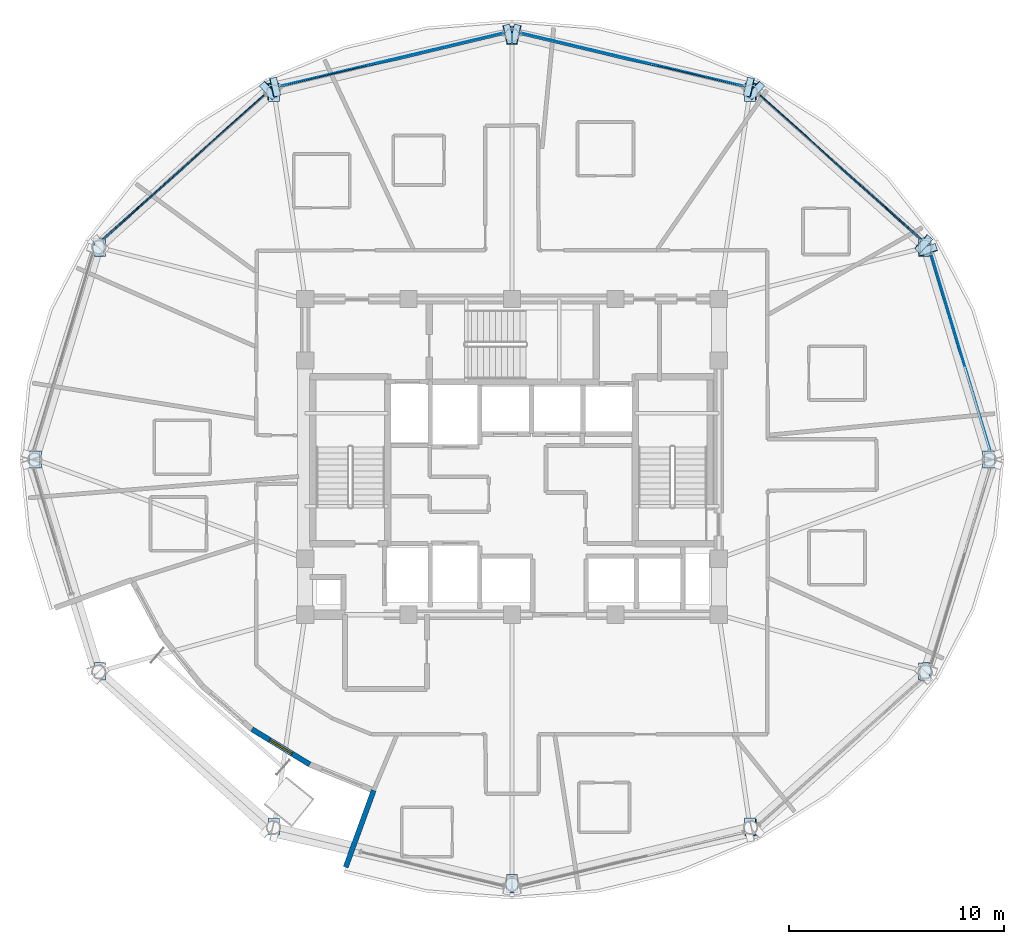
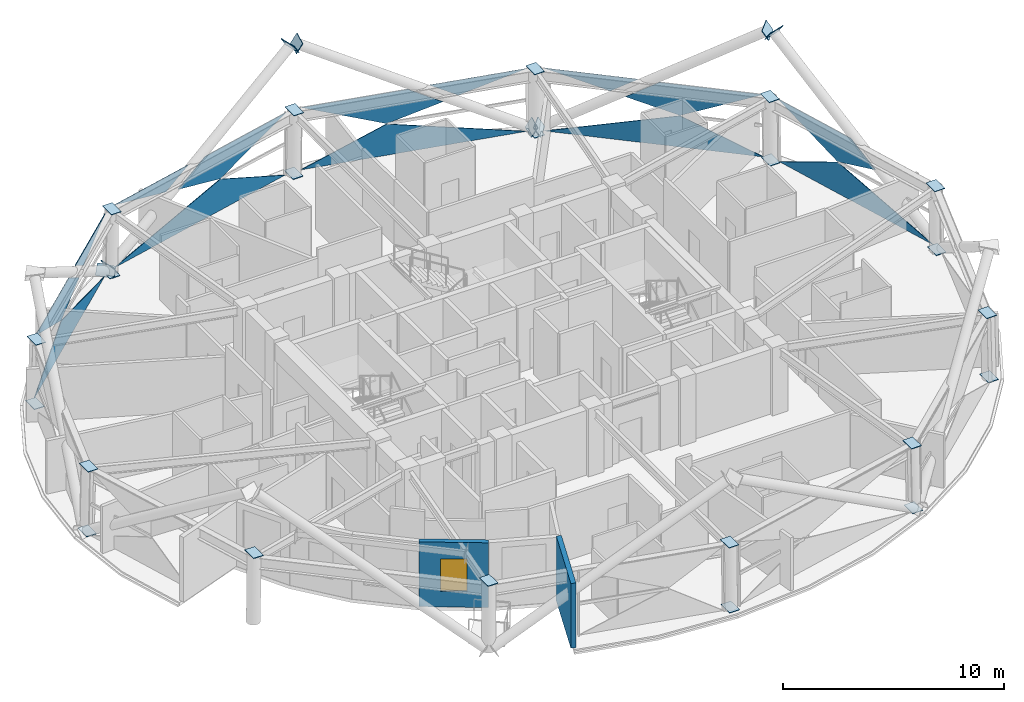
# One storey, part 9 of 18: 44 plates, 2 walls, 1 window, 1 opening, 5 elements without a shape of their own.
"""IFC4 building model written with IfcOpenShell, lengths in metres."""

from ifc_helpers import new_model, si_unit, direction, frame, frame_2d, origin, place, context, subcontext, project, spatial, polyline, rectangle, outline, extrude, material, layer, layer_set, type_object, element, fill, aggregate, save


model = new_model("IFC4")

# Units and contexts
model_context = context("Model", 3, precision=1e-05, world=origin(), true_north=direction((0.0, 1.0)))
body_context = subcontext(model_context, "Body", "Model", "MODEL_VIEW")
ifc_project = project(units=[si_unit("LENGTHUNIT", "METRE"), si_unit("AREAUNIT", "SQUARE_METRE"), si_unit("VOLUMEUNIT", "CUBIC_METRE"), si_unit("PLANEANGLEUNIT", "RADIAN"), si_unit("MASSUNIT", "GRAM", prefix="KILO")], contexts=[model_context])

# Site, building, storey
site_placement = place(None, origin())
site = spatial("IfcSite", under=ifc_project, at=site_placement, CompositionType="ELEMENT")
building_placement = place(site_placement, origin())
building = spatial("IfcBuilding", under=site, at=building_placement, Name="Vantalir Tower", CompositionType="ELEMENT")
storey_placement = place(building_placement, frame((0.0, 0.0, 212.39990234375)))
storey = spatial("IfcBuildingStorey", under=building, at=storey_placement, Name="L53", CompositionType="ELEMENT", Elevation=212.39990234375)

# Curtain wall, plates
ifc_material_1 = material(Name="Champagne-silver PVDF aluminium and double-silver Low-E glass", Category="aluminium")
ifc_layer_1 = layer(ifc_material_1, 0.2099609375)
ifc_layer_set_1 = layer_set([ifc_layer_1], Name="Champagne-silver PVDF aluminium and double-silver Low-E glass")
curtain_wall_type = type_object("IfcCurtainWallType", Name="CW-DIAMOND-Z3", PredefinedType="USERDEFINED", material=ifc_layer_set_1)
curtain_wall_1_placement = place(storey_placement, origin())
curtain_wall_1 = element("IfcCurtainWall", 1, at=curtain_wall_1_placement, inside=storey, type_object=curtain_wall_type, Name="L53 Quilted Pyramid-Diamond Curtain Wall S01", ObjectType="UNITISED CURTAIN WALL", PredefinedType="USERDEFINED")
ifc_material_2 = material(Name="Double-silver Low-E acoustic glass IGU", Category="glass")
ifc_layer_2 = layer(ifc_material_2, 0.031982421875)
ifc_layer_set_2 = layer_set([ifc_layer_2], Name="Double-silver Low-E acoustic glass IGU")
plate_type_1 = type_object("IfcPlateType", Name="CWP-IGU-32", PredefinedType="CURTAIN_PANEL", material=ifc_layer_set_2)
plate_1_placement = place(storey_placement, frame((53.728759765625, 25.406982421875, 0.046875), z_axis=(0.957623193103, 0.287946433413, 0.006683675376), x_axis=(-0.287953028694, 0.957644533537, 2.5568552e-05)))
plate_1 = element("IfcPlate", 2, at=plate_1_placement, type_object=plate_type_1, Name="CW-L53-S01 Pyramid Diamond Facet 1L", PredefinedType="CURTAIN_PANEL", context=body_context, shape_type="SweptSolid", body=[
    extrude(outline(polyline([(0.0, 0.0), (9.548472996531673, -3.3610267347050637e-18), (5.915284661667122, 1.7254732329860645), (0.0, 0.0)])), origin(), (0.0, 0.0, -1.0), 0.031982421875),
])
plate_2_placement = place(storey_placement, frame((52.20703125, 30.22021484375, 3.523193359375), z_axis=(0.957062768049, 0.287836340879, 0.034367119226), x_axis=(-0.288006449757, 0.957628469135, -7.11637e-07)))
plate_2 = element("IfcPlate", 3, at=plate_2_placement, type_object=plate_type_1, Name="CW-L53-S01 Pyramid Diamond Facet 2U", PredefinedType="CURTAIN_PANEL", context=body_context, shape_type="SweptSolid", body=[
    extrude(outline(polyline([(0.0, 0.0), (4.487987723551335, -6.938893903907228e-18), (0.8678270101025286, -1.7266052669534093), (-1.4972824428293054, -1.0335738004786958), (0.0, 0.0)])), origin(), (0.0, 0.0, -1.0), 0.031982421875),
])
aggregate(curtain_wall_1, [plate_1, plate_2])

curtain_wall_2_placement = place(storey_placement, origin())
curtain_wall_2 = element("IfcCurtainWall", 4, at=curtain_wall_2_placement, inside=storey, type_object=curtain_wall_type, Name="L53 Quilted Pyramid-Diamond Curtain Wall S02", ObjectType="UNITISED CURTAIN WALL", PredefinedType="USERDEFINED")
plate_3_placement = place(storey_placement, frame((50.539794921875, 35.24072265625, 0.046875), z_axis=(0.665317047111, 0.746537720719, 0.00588713578), x_axis=(-0.746550563126, 0.665328682767, -2.4151615e-05)))
plate_3 = element("IfcPlate", 5, at=plate_3_placement, type_object=plate_type_1, Name="CW-L53-S02 Pyramid Diamond Facet 1L", PredefinedType="CURTAIN_PANEL", context=body_context, shape_type="SweptSolid", body=[
    extrude(outline(polyline([(0.0, 0.0), (10.108666756302409, 1.463672932855431e-18), (3.8481615896782593, 1.7259529275592917), (0.0, 0.0)])), origin(), (0.0, 0.0, -1.0), 0.031982421875),
])
plate_4_placement = place(storey_placement, frame((50.474853515625, 35.207763671875, 3.523193359375), z_axis=(0.664964112254, 0.746142859432, 0.033069060066), x_axis=(-0.746552292083, 0.665326741226, 5.0954005e-05)))
plate_4 = element("IfcPlate", 6, at=plate_4_placement, type_object=plate_type_1, Name="CW-L53-S02 Pyramid Diamond Facet 2U", PredefinedType="CURTAIN_PANEL", context=body_context, shape_type="SweptSolid", body=[
    extrude(outline(polyline([(0.0, 0.0), (4.761839134974033, -2.1955093992831465e-18), (6.334424491629657, -1.0326258218954207), (3.821763788017583, -1.7269708541703155), (0.0, 0.0)])), origin(), (0.0, 0.0, -1.0), 0.031982421875),
])
plate_5_placement = place(storey_placement, frame((46.196533203125, 39.06884765625, 3.524658203125), z_axis=(0.664977199026, 0.746138286345, 0.032908698334), x_axis=(-0.746542642133, 0.66533757107, 0.0)))
plate_5 = element("IfcPlate", 7, at=plate_5_placement, type_object=plate_type_1, Name="CW-L53-S02 Pyramid Diamond Facet 2U Infill Light", PredefinedType="CURTAIN_PANEL", context=body_context, shape_type="SweptSolid", body=[
    extrude(outline(polyline([(0.0, 0.0), (4.308271774753619, 0.0), (1.276111113182063, -0.8378561583991564), (0.0, 0.0)])), origin(), (0.0, 0.0, -1.0), 0.031982421875),
])
aggregate(curtain_wall_2, [plate_3, plate_4, plate_5])

curtain_wall_3_placement = place(storey_placement, origin())
curtain_wall_3 = element("IfcCurtainWall", 8, at=curtain_wall_3_placement, inside=storey, type_object=curtain_wall_type, Name="L53 Quilted Pyramid-Diamond Curtain Wall S03", ObjectType="UNITISED CURTAIN WALL", PredefinedType="USERDEFINED")
plate_6_placement = place(storey_placement, frame((42.2626953125, 42.34765625, 0.046630859375), z_axis=(0.232202122269, 0.972655667596, 0.004809023423), x_axis=(-0.972666940319, 0.232204699961, 2.2945128e-05)))
plate_6 = element("IfcPlate", 9, at=plate_6_placement, type_object=plate_type_1, Name="CW-L53-S03 Pyramid Diamond Facet 1L", PredefinedType="CURTAIN_PANEL", context=body_context, shape_type="SweptSolid", body=[
    extrude(outline(polyline([(0.0, 0.0), (10.640194300198624, 2.2768245622195593e-18), (6.591358872622033, 1.7261870808795974), (0.0, 0.0)])), origin(), (0.0, 0.0, -1.0), 0.031982421875),
])
plate_7_placement = place(storey_placement, frame((36.796142578125, 43.58642578125, 3.5234375), z_axis=(0.232144522818, 0.972144812159, 0.03230146619), x_axis=(-0.972652369035, 0.232265729309, -1.14938e-07)))
plate_7 = element("IfcPlate", 10, at=plate_7_placement, type_object=plate_type_1, Name="CW-L53-S03 Pyramid Diamond Facet 2U", PredefinedType="CURTAIN_PANEL", context=body_context, shape_type="SweptSolid", body=[
    extrude(outline(polyline([(0.0, 0.0), (5.020104615202886, 0.0), (0.9867205106364865, -1.7272195583749794), (-1.6534297350522251, -1.0330105245089112), (0.0, 0.0)])), origin(), (0.0, 0.0, -1.0), 0.031982421875),
])
plate_8_placement = place(storey_placement, frame((42.234130859375, 42.32470703125, 3.524658203125), z_axis=(0.232124903465, 0.972143819807, 0.032471877102), x_axis=(-0.972656750783, 0.232247379225, 0.0)))
plate_8 = element("IfcPlate", 11, at=plate_8_placement, type_object=plate_type_1, Name="CW-L53-S03 Pyramid Diamond Facet 2U Infill Light", PredefinedType="CURTAIN_PANEL", context=body_context, shape_type="SweptSolid", body=[
    extrude(outline(polyline([(0.0, 0.0), (4.545429386643662, 6.938893903907228e-18), (3.1990392950493387, -0.8410196839842365), (0.0, 0.0)])), origin(), (0.0, 0.0, -1.0), 0.031982421875),
])
aggregate(curtain_wall_3, [plate_6, plate_7, plate_8])

curtain_wall_4_placement = place(storey_placement, origin())
curtain_wall_4 = element("IfcCurtainWall", 12, at=curtain_wall_4_placement, inside=storey, type_object=curtain_wall_type, Name="L53 Quilted Pyramid-Diamond Curtain Wall S04", ObjectType="UNITISED CURTAIN WALL", PredefinedType="USERDEFINED")
plate_9_placement = place(storey_placement, frame((31.086669921875, 44.818359375, 0.046875), z_axis=(-0.232222835977, 0.972650644648, 0.00482471924), x_axis=(-0.972661990941, -0.232225431107, -2.2947177e-05)))
plate_9 = element("IfcPlate", 13, at=plate_9_placement, type_object=plate_type_1, Name="CW-L53-S04 Pyramid Diamond Facet 1L", PredefinedType="CURTAIN_PANEL", context=body_context, shape_type="SweptSolid", body=[
    extrude(outline(polyline([(0.0, 0.0), (10.639244432556302, -2.6291902682773483e-18), (4.048360667439506, 1.7261872087903536), (0.0, 0.0)])), origin(), (0.0, 0.0, -1.0), 0.031982421875),
])
plate_10_placement = place(storey_placement, frame((31.086669921875, 44.75244140625, 3.5234375), z_axis=(-0.232171706803, 0.972137763017, 0.03231823442), x_axis=(-0.972645845055, -0.232293047888, -6.2618e-08)))
plate_10 = element("IfcPlate", 14, at=plate_10_placement, type_object=plate_type_1, Name="CW-L53-S04 Pyramid Diamond Facet 2U", PredefinedType="CURTAIN_PANEL", context=body_context, shape_type="SweptSolid", body=[
    extrude(outline(polyline([(0.0, 0.0), (5.019629688995231, 0.0), (6.6728212066572015, -1.0330098992619385), (4.033145380619553, -1.7272206703985786), (0.0, 0.0)])), origin(), (0.0, 0.0, -1.0), 0.031982421875),
])
plate_11_placement = place(storey_placement, frame((25.1875, 43.38037109375, 3.524658203125), z_axis=(-0.232149366622, 0.972138894874, 0.03244442403), x_axis=(-0.97265095563, -0.2322716481, 0.0)))
plate_11 = element("IfcPlate", 15, at=plate_11_placement, type_object=plate_type_1, Name="CW-L53-S04 Pyramid Diamond Facet 2U Infill Light", PredefinedType="CURTAIN_PANEL", context=body_context, shape_type="SweptSolid", body=[
    extrude(outline(polyline([(0.0, 0.0), (4.5449544580043275, 0.0), (1.3461519461586733, -0.8410189337818136), (0.0, 0.0)])), origin(), (0.0, 0.0, -1.0), 0.031982421875),
])
aggregate(curtain_wall_4, [plate_9, plate_10, plate_11])

curtain_wall_5_placement = place(storey_placement, origin())
curtain_wall_5 = element("IfcCurtainWall", 16, at=curtain_wall_5_placement, inside=storey, type_object=curtain_wall_type, Name="L53 Quilted Pyramid-Diamond Curtain Wall S05", ObjectType="UNITISED CURTAIN WALL", PredefinedType="USERDEFINED")
plate_12_placement = place(storey_placement, frame((20.0078125, 41.96630859375, 0.046630859375), z_axis=(-0.665268888071, 0.746580281936, 0.005932047624), x_axis=(-0.746593322534, -0.66528070028, 2.4149873e-05)))
plate_12 = element("IfcPlate", 17, at=plate_12_placement, type_object=plate_type_1, Name="CW-L53-S05 Pyramid Diamond Facet 1L", PredefinedType="CURTAIN_PANEL", context=body_context, shape_type="SweptSolid", body=[
    extrude(outline(polyline([(0.0, 0.0), (10.10939583046608, 1.577514160966409e-17), (6.260869045162266, 1.725953387778409), (0.0, 0.0)])), origin(), (0.0, 0.0, -1.0), 0.031982421875),
])
plate_13_placement = place(storey_placement, frame((16.08056640625, 38.3759765625, 3.5234375), z_axis=(-0.664899833455, 0.74619801668, 0.03311693485), x_axis=(-0.746608653069, -0.66526349413, -5.0402982e-05)))
plate_13 = element("IfcPlate", 18, at=plate_13_placement, type_object=plate_type_1, Name="CW-L53-S05 Pyramid Diamond Facet 2U", PredefinedType="CURTAIN_PANEL", context=body_context, shape_type="SweptSolid", body=[
    extrude(outline(polyline([(0.0, 0.0), (4.762203669036037, 1.2603850255143989e-17), (0.9402615080629463, -1.7269741020977174), (-1.572765308191059, -1.032623994801064), (0.0, 0.0)])), origin(), (0.0, 0.0, -1.0), 0.031982421875),
])
plate_14_placement = place(storey_placement, frame((20.020751953125, 41.935302734375, 3.524658203125), z_axis=(-0.664918420941, 0.746185598699, 0.033023412718), x_axis=(-0.746592806569, -0.665281279745, 0.0)))
plate_14 = element("IfcPlate", 19, at=plate_14_placement, type_object=plate_type_1, Name="CW-L53-S05 Pyramid Diamond Facet 2U Infill Light", PredefinedType="CURTAIN_PANEL", context=body_context, shape_type="SweptSolid", body=[
    extrude(outline(polyline([(0.0, 0.0), (4.308636309775793, 0.0), (3.032527279211335, -0.8378593303568288), (0.0, 0.0)])), origin(), (0.0, 0.0, -1.0), 0.031982421875),
])
aggregate(curtain_wall_5, [plate_12, plate_13, plate_14])

# Plates
ifc_material_3 = material(Name="Steel S460", Category="steel")
ifc_layer_3 = layer(ifc_material_3, 0.035888671875)
ifc_layer_set_3 = layer_set([ifc_layer_3], Name="Steel S460")
plate_type_2 = type_object("IfcPlateType", Name="PLT-KN-Z2", PredefinedType="USERDEFINED", material=ifc_layer_set_3)
plate_15_placement = place(storey_placement, frame((51.1455078125, 35.03173828125, 6.892333984375), z_axis=(-0.247801445593, 0.784971030878, 0.567815924614), x_axis=(-0.953612013501, -0.301038415667, 0.0)))
element("IfcPlate", 20, at=plate_15_placement, inside=storey, type_object=plate_type_2, Name="Node Cap Plate MEM-DG-L53-R01L End", ObjectType="FLANGE_PLATE", PredefinedType="USERDEFINED", context=body_context, shape_type="SweptSolid", body=[
    extrude(outline(polyline([(0.0, 0.0), (0.8799294852051559, -2.7755575615628914e-17), (0.8799218985515354, 0.579835629059877), (-7.586653620619832e-06, 0.5798356290598771), (0.0, 0.0)])), origin(), (0.0, 0.0, -1.0), 0.035888671875),
])
plate_16_placement = place(storey_placement, frame((42.43505859375, 42.7548828125, -0.044921875), z_axis=(-0.827034201957, 0.18775911612, 0.529868798013), x_axis=(-0.221393262767, -0.975184609806, 0.0)))
element("IfcPlate", 21, at=plate_16_placement, inside=storey, type_object=plate_type_2, Name="Node Cap Plate MEM-DG-L53-R07L Start", ObjectType="FLANGE_PLATE", PredefinedType="USERDEFINED", context=body_context, shape_type="SweptSolid", body=[
    extrude(outline(polyline([(0.0, 0.0), (0.8799916326060001, 0.0), (0.8800958739929752, 0.5797795419390925), (0.00010424138697508854, 0.5797795419390925), (0.0, 0.0)])), origin(), (0.0, 0.0, -1.0), 0.035888671875),
])
plate_17_placement = place(storey_placement, frame((31.6064453125, 45.213134765625, 6.892333984375), z_axis=(-0.827149432628, 0.187785276597, 0.529679625809), x_axis=(-0.221393262767, -0.975184609806, 0.0)))
element("IfcPlate", 22, at=plate_17_placement, inside=storey, type_object=plate_type_2, Name="Node Cap Plate MEM-DG-L53-R07L End", ObjectType="FLANGE_PLATE", PredefinedType="USERDEFINED", context=body_context, shape_type="SweptSolid", body=[
    extrude(outline(polyline([(0.0, 0.0), (0.8799916326060001, 0.0), (0.8800958739929752, 0.5799866070564939), (0.00010424138697508854, 0.5799866070564939), (0.0, 0.0)])), origin(), (0.0, 0.0, -1.0), 0.035888671875),
])
plate_18_placement = place(storey_placement, frame((42.637451171875, 41.688232421875, -0.037109375), z_axis=(0.61717228653, -0.563837841329, 0.548803477963), x_axis=(0.674484421404, 0.738289079742, 4.060492e-06)))
element("IfcPlate", 23, at=plate_18_placement, inside=storey, type_object=plate_type_2, Name="Node Cap Plate MEM-DG-L53-R07R Start", ObjectType="FLANGE_PLATE", PredefinedType="USERDEFINED", context=body_context, shape_type="SweptSolid", body=[
    extrude(outline(polyline([(0.0, 0.0), (0.8799460130926633, 0.0), (0.8801531519891392, 0.5800094450517043), (-0.00013777650907734288, 0.5800179951039232), (0.0, 0.0)])), origin(), (0.0, 0.0, -1.0), 0.035888671875),
])
plate_19_placement = place(storey_placement, frame((50.43017578125, 34.569091796875, 6.892333984375), z_axis=(0.617277984064, -0.563924381533, 0.548595645537), x_axis=(0.674479855046, 0.738293251451, 0.0)))
element("IfcPlate", 24, at=plate_19_placement, inside=storey, type_object=plate_type_2, Name="Node Cap Plate MEM-DG-L53-R07R End", ObjectType="FLANGE_PLATE", PredefinedType="USERDEFINED", context=body_context, shape_type="SweptSolid", body=[
    extrude(outline(polyline([(0.0, 0.0), (0.8799460131167485, 0.0), (0.8799729045892061, 0.579919092636882), (2.689147245751866e-05, 0.579919092636882), (0.0, 0.0)])), origin(), (0.0, 0.0, -1.0), 0.035888671875),
])
plate_20_placement = place(storey_placement, frame((19.77001953125, 42.337890625, -0.037109375), z_axis=(-0.61717738882, -0.563726557288, 0.548912050639), x_axis=(0.674431592084, -0.738337338726, 4.2926481e-05)))
element("IfcPlate", 25, at=plate_20_placement, inside=storey, type_object=plate_type_2, Name="Node Cap Plate MEM-DG-L53-R13L Start", ObjectType="FLANGE_PLATE", PredefinedType="USERDEFINED", context=body_context, shape_type="SweptSolid", body=[
    extrude(outline(polyline([(0.0, 0.0), (0.8799460104260128, 0.0), (0.8800837922688092, 0.5800179910570771), (-4.2476296540944386e-05, 0.580108379270329), (0.0, 0.0)])), origin(), (0.0, 0.0, -1.0), 0.035888671875),
])
plate_21_placement = place(storey_placement, frame((20.7607421875, 41.896728515625, -0.044921875), z_axis=(0.827034201957, 0.18775911612, 0.529868798013), x_axis=(-0.221393262767, 0.975184609806, 0.0)))
element("IfcPlate", 26, at=plate_21_placement, inside=storey, type_object=plate_type_2, Name="Node Cap Plate MEM-DG-L53-R13R Start", ObjectType="FLANGE_PLATE", PredefinedType="USERDEFINED", context=body_context, shape_type="SweptSolid", body=[
    extrude(outline(polyline([(0.0, 0.0), (0.8799916326060001, 0.0), (0.879887391219025, 0.5797795419390925), (-0.00010424138697508854, 0.5797795419390925), (0.0, 0.0)])), origin(), (0.0, 0.0, -1.0), 0.035888671875),
])
plate_22_placement = place(storey_placement, frame((31.58837890625, 44.35498046875, 6.892333984375), z_axis=(0.827149432628, 0.187785276597, 0.529679625809), x_axis=(-0.221393262767, 0.975184609806, 0.0)))
element("IfcPlate", 27, at=plate_22_placement, inside=storey, type_object=plate_type_2, Name="Node Cap Plate MEM-DG-L53-R13R End", ObjectType="FLANGE_PLATE", PredefinedType="USERDEFINED", context=body_context, shape_type="SweptSolid", body=[
    extrude(outline(polyline([(0.0, 0.0), (0.8799916326060001, 0.0), (0.879887391219025, 0.5799866070564939), (-0.00010424138697508854, 0.5799866070564939), (0.0, 0.0)])), origin(), (0.0, 0.0, -1.0), 0.035888671875),
])
ifc_layer_4 = layer(ifc_material_3, 0.031982421875)
ifc_layer_set_4 = layer_set([ifc_layer_4], Name="Steel S460")
plate_type_3 = type_object("IfcPlateType", Name="PLT-KN-Z3", PredefinedType="USERDEFINED", material=ifc_layer_set_4)
plate_23_placement = place(storey_placement, frame((53.32666015625, 25.39990234375, 3.588623046875), z_axis=(-0.020662567534, 0.0, 0.999786506362), x_axis=(0.0, -1.0, 0.0)))
element("IfcPlate", 28, at=plate_23_placement, inside=storey, type_object=plate_type_3, Name="L53 Ring Column Top Cap RC01", ObjectType="FLANGE_PLATE", PredefinedType="USERDEFINED", context=body_context, shape_type="SweptSolid", body=[
    extrude(outline(polyline([(0.0, 0.0), (0.7998046875, 0.0), (0.7998046875, 0.5198863830604303), (0.0, 0.5198863830604303), (0.0, 0.0)])), origin(), (0.0, 0.0, -1.0), 0.031982421875),
])
plate_24_placement = place(storey_placement, frame((53.39990234375, 25.39990234375, 0.047607421875), z_axis=(-0.021122047282, 0.0, 0.999776904674), x_axis=(0.0, -1.0, 0.0)))
element("IfcPlate", 29, at=plate_24_placement, inside=storey, type_object=plate_type_3, Name="L53 Ring Column Base Cap RC01", ObjectType="FLANGE_PLATE", PredefinedType="USERDEFINED", context=body_context, shape_type="SweptSolid", body=[
    extrude(outline(polyline([(0.0, 0.0), (0.7998046875, 0.0), (0.7998046875, 0.5201355710650252), (0.0, 0.5201355710650252), (0.0, 0.0)])), origin(), (0.0, 0.0, -1.0), 0.031982421875),
])
plate_25_placement = place(storey_placement, frame((50.36767578125, 35.229736328125, 3.593017578125), z_axis=(-0.018082053177, -0.009306788433, 0.999793190136), x_axis=(2.733406e-06, -0.999956677198, -0.009308260851)))
element("IfcPlate", 30, at=plate_25_placement, inside=storey, type_object=plate_type_3, Name="L53 Ring Column Top Cap RC02", ObjectType="FLANGE_PLATE", PredefinedType="USERDEFINED", context=body_context, shape_type="SweptSolid", body=[
    extrude(outline(polyline([(0.0, 0.0), (0.7998382134583768, 0.0), (0.7999974083281395, 0.5198581974433824), (-8.720770300303959e-05, 0.5198625713973922), (0.0, 0.0)])), origin(), (0.0, 0.0, -1.0), 0.031982421875),
])
plate_26_placement = place(storey_placement, frame((50.43115234375, 35.262451171875, 0.05224609375), z_axis=(-0.017847335257, -0.009459385088, 0.999795975516), x_axis=(-2.5766e-08, -0.999955244756, -0.009460892445)))
element("IfcPlate", 31, at=plate_26_placement, inside=storey, type_object=plate_type_3, Name="L53 Ring Column Base Cap RC02", ObjectType="FLANGE_PLATE", PredefinedType="USERDEFINED", context=body_context, shape_type="SweptSolid", body=[
    extrude(outline(polyline([(0.0, 0.0), (0.7998404954797353, -2.710505431213761e-20), (0.7999968398343646, 0.519858212367739), (-8.778534379739278e-05, 0.5198581711378856), (0.0, 0.0)])), origin(), (0.0, 0.0, -1.0), 0.031982421875),
])
plate_27_placement = place(storey_placement, frame((42.28369140625, 42.426513671875, 3.597900390625), z_axis=(-0.009857434191, -0.015870245523, 0.999825467918), x_axis=(0.0, -0.999874047484, -0.015871016627)))
element("IfcPlate", 32, at=plate_27_placement, inside=storey, type_object=plate_type_3, Name="L53 Ring Column Top Cap RC03", ObjectType="FLANGE_PLATE", PredefinedType="USERDEFINED", context=body_context, shape_type="SweptSolid", body=[
    extrude(outline(polyline([(0.0, 0.0), (0.799905437602749, 5.421010862427522e-20), (0.7998240676444577, 0.5200447979825831), (-8.136995829130853e-05, 0.520044797982583), (0.0, 0.0)])), origin(), (0.0, 0.0, -1.0), 0.031982421875),
])
plate_28_placement = place(storey_placement, frame((42.319580078125, 42.483154296875, 0.056884765625), z_axis=(-0.009865790425, -0.015867822996, 0.999825423948), x_axis=(-2.389e-08, -0.999874085911, -0.015868595526)))
element("IfcPlate", 33, at=plate_28_placement, inside=storey, type_object=plate_type_3, Name="L53 Ring Column Base Cap RC03", ObjectType="FLANGE_PLATE", PredefinedType="USERDEFINED", context=body_context, shape_type="SweptSolid", body=[
    extrude(outline(polyline([(0.0, 0.0), (0.7999054376004038, 0.0), (0.8000681775216775, 0.5198007074488532), (-8.136996298201488e-05, 0.5198006692212839), (0.0, 0.0)])), origin(), (0.0, 0.0, -1.0), 0.031982421875),
])
for number, where, z_axis, x_axis, name in (
    (34, (31.239990234375, 45.060546875, 3.6015625), (0.0, -0.018617041502, 0.999826687864), (0.0, -0.999826687864, -0.018617041502), "L53 Ring Column Top Cap RC04"),
    (35, (31.239990234375, 45.1259765625, 0.060546875), (0.0, -0.018617041502, 0.999826687864), (0.0, -0.999826687864, -0.018617041502), "L53 Ring Column Base Cap RC04"),
):
    element("IfcPlate", number, at=place(storey_placement, frame(where, z_axis=z_axis, x_axis=x_axis)), inside=storey, type_object=plate_type_3, Name=name, ObjectType="FLANGE_PLATE", PredefinedType="USERDEFINED", context=body_context, shape_type="SweptSolid", body=[
        extrude(outline(polyline([(0.0, 0.0), (0.799943327386498, 0.0), (0.799943327386498, 0.52001953125), (0.0, 0.52001953125), (0.0, 0.0)])), origin(), (0.0, 0.0, -1.0), 0.031982421875),
    ])
plate_29_placement = place(storey_placement, frame((20.197265625, 42.426513671875, 3.603271484375), z_axis=(0.0103267364, -0.016175286827, 0.999815842349), x_axis=(0.0, -0.999869157536, -0.016176149374)))
element("IfcPlate", 36, at=plate_29_placement, inside=storey, type_object=plate_type_3, Name="L53 Ring Column Top Cap RC05", ObjectType="FLANGE_PLATE", PredefinedType="USERDEFINED", context=body_context, shape_type="SweptSolid", body=[
    extrude(outline(polyline([(0.0, 0.0), (0.7999093496104085, 0.0), (0.7999962332252105, 0.5200472612953352), (8.688361480204548e-05, 0.5200472612953351), (0.0, 0.0)])), origin(), (0.0, 0.0, -1.0), 0.031982421875),
])
plate_30_placement = place(storey_placement, frame((20.16064453125, 42.483154296875, 0.062255859375), z_axis=(0.010335384619, -0.016172817649, 0.999815792931), x_axis=(-2.5501e-08, -0.999869197463, -0.016173681246)))
element("IfcPlate", 37, at=plate_30_placement, inside=storey, type_object=plate_type_3, Name="L53 Ring Column Base Cap RC05", ObjectType="FLANGE_PLATE", PredefinedType="USERDEFINED", context=body_context, shape_type="SweptSolid", body=[
    extrude(outline(polyline([(0.0, 0.0), (0.8001534582987581, -2.710505431213761e-20), (0.7999962067116801, 0.5198031744998566), (8.685710370898382e-05, 0.5198031336952372), (0.0, 0.0)])), origin(), (0.0, 0.0, -1.0), 0.031982421875),
])
plate_31_placement = place(storey_placement, frame((12.112548828125, 35.229736328125, 3.6025390625), z_axis=(0.018082053177, -0.009306788433, 0.999793190136), x_axis=(2.732564e-06, -0.999956676278, -0.009308359699)))
element("IfcPlate", 38, at=plate_31_placement, inside=storey, type_object=plate_type_3, Name="L53 Ring Column Top Cap RC06", ObjectType="FLANGE_PLATE", PredefinedType="USERDEFINED", context=body_context, shape_type="SweptSolid", body=[
    extrude(outline(polyline([(0.0, 0.0), (0.8000846160430984, -2.710505431213761e-20), (0.7999282631675493, 0.5198581983059107), (9.004972112476337e-05, 0.5198625709128711), (0.0, 0.0)])), origin(), (0.0, 0.0, -1.0), 0.031982421875),
])
plate_32_placement = place(storey_placement, frame((12.049072265625, 35.262451171875, 0.0615234375), z_axis=(0.017847335257, -0.009459385088, 0.999795975516), x_axis=(-2.5758e-08, -0.999955244764, -0.009460891525)))
element("IfcPlate", 39, at=plate_32_placement, inside=storey, type_object=plate_type_3, Name="L53 Ring Column Base Cap RC06", ObjectType="FLANGE_PLATE", PredefinedType="USERDEFINED", context=body_context, shape_type="SweptSolid", body=[
    extrude(outline(polyline([(0.0, 0.0), (0.8000846251781631, -5.421010862427522e-20), (0.7999282540342703, 0.5198582123596817), (8.77585545359273e-05, 0.5198581711424086), (0.0, 0.0)])), origin(), (0.0, 0.0, -1.0), 0.031982421875),
])
plate_33_placement = place(storey_placement, frame((9.153564453125, 25.39990234375, 3.599365234375), z_axis=(0.020662567534, 0.0, 0.999786506362), x_axis=(0.0, -1.0, 0.0)))
element("IfcPlate", 40, at=plate_33_placement, inside=storey, type_object=plate_type_3, Name="L53 Ring Column Top Cap RC07", ObjectType="FLANGE_PLATE", PredefinedType="USERDEFINED", context=body_context, shape_type="SweptSolid", body=[
    extrude(outline(polyline([(0.0, 0.0), (0.7998046875, 0.0), (0.7998046875, 0.5198863830604303), (0.0, 0.5198863830604303), (0.0, 0.0)])), origin(), (0.0, 0.0, -1.0), 0.031982421875),
])
plate_34_placement = place(storey_placement, frame((9.080078125, 25.39990234375, 0.05859375), z_axis=(0.021122047282, 0.0, 0.999776904674), x_axis=(0.0, -1.0, 0.0)))
element("IfcPlate", 41, at=plate_34_placement, inside=storey, type_object=plate_type_3, Name="L53 Ring Column Base Cap RC07", ObjectType="FLANGE_PLATE", PredefinedType="USERDEFINED", context=body_context, shape_type="SweptSolid", body=[
    extrude(outline(polyline([(0.0, 0.0), (0.7998046875, 0.0), (0.7998046875, 0.5201355710650252), (0.0, 0.5201355710650252), (0.0, 0.0)])), origin(), (0.0, 0.0, -1.0), 0.031982421875),
])
plate_35_placement = place(storey_placement, frame((12.112548828125, 15.5703125, 3.7490234375), z_axis=(0.01714309911, 0.009001821893, 0.999812523104), x_axis=(2.638622e-06, -0.999959471273, 0.009003099699)))
element("IfcPlate", 42, at=plate_35_placement, inside=storey, type_object=plate_type_3, Name="L53 Ring Column Top Cap RC08", ObjectType="FLANGE_PLATE", PredefinedType="USERDEFINED", context=body_context, shape_type="SweptSolid", body=[
    extrude(outline(polyline([(0.0, 0.0), (0.8000801458138023, -1.3552527156068805e-20), (0.8000023884985331, 0.5198496735670739), (0.00016417539263456968, 0.5198538957670195), (0.0, 0.0)])), origin(), (0.0, 0.0, -1.0), 0.031982421875),
])
plate_36_placement = place(storey_placement, frame((20.1962890625, 8.373291015625, 3.74462890625), z_axis=(0.009857527846, 0.015259996447, 0.999834967209), x_axis=(0.0, -0.999883548159, 0.015260737915)))
element("IfcPlate", 43, at=plate_36_placement, inside=storey, type_object=plate_type_3, Name="L53 Ring Column Top Cap RC09", ObjectType="FLANGE_PLATE", PredefinedType="USERDEFINED", context=body_context, shape_type="SweptSolid", body=[
    extrude(outline(polyline([(0.0, 0.0), (0.79989783707603, 1.3552527156068805e-20), (0.7998195959880895, 0.520044798462736), (-7.824108794059846e-05, 0.5200447984627361), (0.0, 0.0)])), origin(), (0.0, 0.0, -1.0), 0.031982421875),
])
for number, where, z_axis, x_axis, name in (
    (44, (31.239990234375, 5.7392578125, 3.586669921875), (0.0, 0.018617041502, 0.999826687864), (0.0, -0.999826687864, 0.018617041502), "L53 Ring Column Top Cap RC10"),
    (45, (31.239990234375, 5.673828125, 0.045654296875), (0.0, 0.018617041502, 0.999826687864), (0.0, -0.999826687864, 0.018617041502), "L53 Ring Column Base Cap RC10"),
):
    element("IfcPlate", number, at=place(storey_placement, frame(where, z_axis=z_axis, x_axis=x_axis)), inside=storey, type_object=plate_type_3, Name=name, ObjectType="FLANGE_PLATE", PredefinedType="USERDEFINED", context=body_context, shape_type="SweptSolid", body=[
        extrude(outline(polyline([(0.0, 0.0), (0.799943327386498, 0.0), (0.799943327386498, 0.52001953125), (0.0, 0.52001953125), (0.0, 0.0)])), origin(), (0.0, 0.0, -1.0), 0.031982421875),
    ])
plate_37_placement = place(storey_placement, frame((42.28369140625, 8.373291015625, 3.585205078125), z_axis=(-0.009857434191, 0.015870245523, 0.999825467918), x_axis=(0.0, -0.999874047484, 0.015871016627)))
element("IfcPlate", 46, at=plate_37_placement, inside=storey, type_object=plate_type_3, Name="L53 Ring Column Top Cap RC11", ObjectType="FLANGE_PLATE", PredefinedType="USERDEFINED", context=body_context, shape_type="SweptSolid", body=[
    extrude(outline(polyline([(0.0, 0.0), (0.799905437602749, -5.421010862427522e-20), (0.7999868075610403, 0.520044797982583), (8.136995829130853e-05, 0.520044797982583), (0.0, 0.0)])), origin(), (0.0, 0.0, -1.0), 0.031982421875),
])
plate_38_placement = place(storey_placement, frame((42.319580078125, 8.316650390625, 0.044189453125), z_axis=(-0.009865790425, 0.015867822996, 0.999825423948), x_axis=(2.389e-08, -0.999874085911, 0.015868595526)))
element("IfcPlate", 47, at=plate_38_placement, inside=storey, type_object=plate_type_3, Name="L53 Ring Column Base Cap RC11", ObjectType="FLANGE_PLATE", PredefinedType="USERDEFINED", context=body_context, shape_type="SweptSolid", body=[
    extrude(outline(polyline([(0.0, 0.0), (0.7999054376004038, 0.0), (0.7999868075633858, 0.5198006692212839), (-0.00016273992127356196, 0.5198007074488532), (0.0, 0.0)])), origin(), (0.0, 0.0, -1.0), 0.031982421875),
])
plate_39_placement = place(storey_placement, frame((50.36767578125, 15.569091796875, 3.585693359375), z_axis=(-0.018082053177, 0.009306788433, 0.999793190136), x_axis=(-2.733406e-06, -0.999956677198, 0.009308260851)))
element("IfcPlate", 48, at=plate_39_placement, inside=storey, type_object=plate_type_3, Name="L53 Ring Column Top Cap RC12", ObjectType="FLANGE_PLATE", PredefinedType="USERDEFINED", context=body_context, shape_type="SweptSolid", body=[
    extrude(outline(polyline([(0.0, 0.0), (0.7998382134583768, 0.0), (0.7999254211613799, 0.5198625713973922), (-0.00015919486976276288, 0.5198581974433824), (0.0, 0.0)])), origin(), (0.0, 0.0, -1.0), 0.031982421875),
])
plate_40_placement = place(storey_placement, frame((50.43115234375, 15.536376953125, 0.044677734375), z_axis=(-0.017847335257, 0.009459385088, 0.999795975516), x_axis=(2.5766e-08, -0.999955244756, 0.009460892445)))
element("IfcPlate", 49, at=plate_40_placement, inside=storey, type_object=plate_type_3, Name="L53 Ring Column Base Cap RC12", ObjectType="FLANGE_PLATE", PredefinedType="USERDEFINED", context=body_context, shape_type="SweptSolid", body=[
    extrude(outline(polyline([(0.0, 0.0), (0.7998404954797353, 2.710505431213761e-20), (0.7999282808235328, 0.5198581711378856), (-0.00015634435462925776, 0.519858212367739), (0.0, 0.0)])), origin(), (0.0, 0.0, -1.0), 0.031982421875),
])

# Wall
ifc_material_4 = material(Name="Precast concrete C40/50 insulated sky-garden wall", Category="concrete")
ifc_layer_5 = layer(ifc_material_4, 0.239990234375)
ifc_layer_set_5 = layer_set([ifc_layer_5], Name="Precast concrete C40/50 insulated sky-garden wall")
wall_type = type_object("IfcWallType", Name="WL-EXT-SG-240", PredefinedType="SOLIDWALL", material=ifc_layer_set_5)
wall_1_placement = place(storey_placement, frame((25.080078125, 9.64794921875, 0.0), z_axis=(0.0, 0.0, 1.0), x_axis=(-0.342088633789, -0.939667689469, 0.0)))
element("IfcWall", 50, at=wall_1_placement, inside=storey, type_object=wall_type, Name="L53 SG3 Sky-Garden Return Wall B", PredefinedType="SOLIDWALL", context=body_context, shape_type="SweptSolid", body=[
    extrude(rectangle(XDim=3.80029296875, YDim=0.239990234375, at=frame_2d((1.900146484375, 0.0))), origin(), (0.0, 0.0, 1.0), 3.570068359375),
])

# Wall, opening, window
wall_2_placement = place(storey_placement, frame((19.43408203125, 12.485107421875, 0.0), z_axis=(0.0, 0.0, 1.0), x_axis=(0.853944577142, -0.520363967979, 0.0)))
wall_2 = element("IfcWall", 51, at=wall_2_placement, inside=storey, type_object=wall_type, Name="L53 SG3 Sky-Garden Lounge Wall 4", PredefinedType="SOLIDWALL", context=body_context, shape_type="SweptSolid", body=[
    extrude(rectangle(XDim=3.13818359375, YDim=0.239990234375, at=frame_2d((1.569091796875, 0.0))), origin(), (0.0, 0.0, 1.0), 3.570068359375),
])
opening_placement = place(wall_2_placement, frame((0.968994140625, 0.0, 0.85009765625)))
opening = element("IfcOpeningElement", 52, at=opening_placement, cuts=wall_2, Name="Opening WN-4", PredefinedType="OPENING", context=body_context, shape_type="SweptSolid", body=[
    extrude(rectangle(XDim=1.199951171875, YDim=1.800048828125, at=frame_2d((0.60009765625, 0.89990234375))), frame((0.0, 0.1298828125, 0.0), z_axis=(0.0, -1.0, 0.0), x_axis=(1.0, 0.0, 0.0)), (0.0, 0.0, 1.0), 0.260009765625),
])
ifc_material_5 = material(Name="Operable smoke-vent Low-E window", Category="glass")
window_type = type_object("IfcWindowType", Name="WIN-SG-1200x1800", PartitioningType="SINGLE_PANEL", PredefinedType="WINDOW", material=ifc_material_5)
window_placement = place(opening_placement, origin())
window = element("IfcWindow", 53, at=window_placement, inside=storey, type_object=window_type, Name="L53 SG3 Sky-Garden Window 4", OverallHeight=1.800048828125, OverallWidth=1.199951171875, PartitioningType="SINGLE_PANEL", PredefinedType="WINDOW", context=body_context, shape_type="SweptSolid", body=[
    extrude(rectangle(XDim=1.199951171875, YDim=1.800048828125, at=frame_2d((0.60009765625, 0.89990234375))), frame((0.0, 0.030029296875, 0.0), z_axis=(0.0, -1.0, 0.0), x_axis=(1.0, 0.0, 0.0)), (0.0, 0.0, 1.0), 0.06005859375),
])
fill(opening, window)

save(model, "model.ifc")
